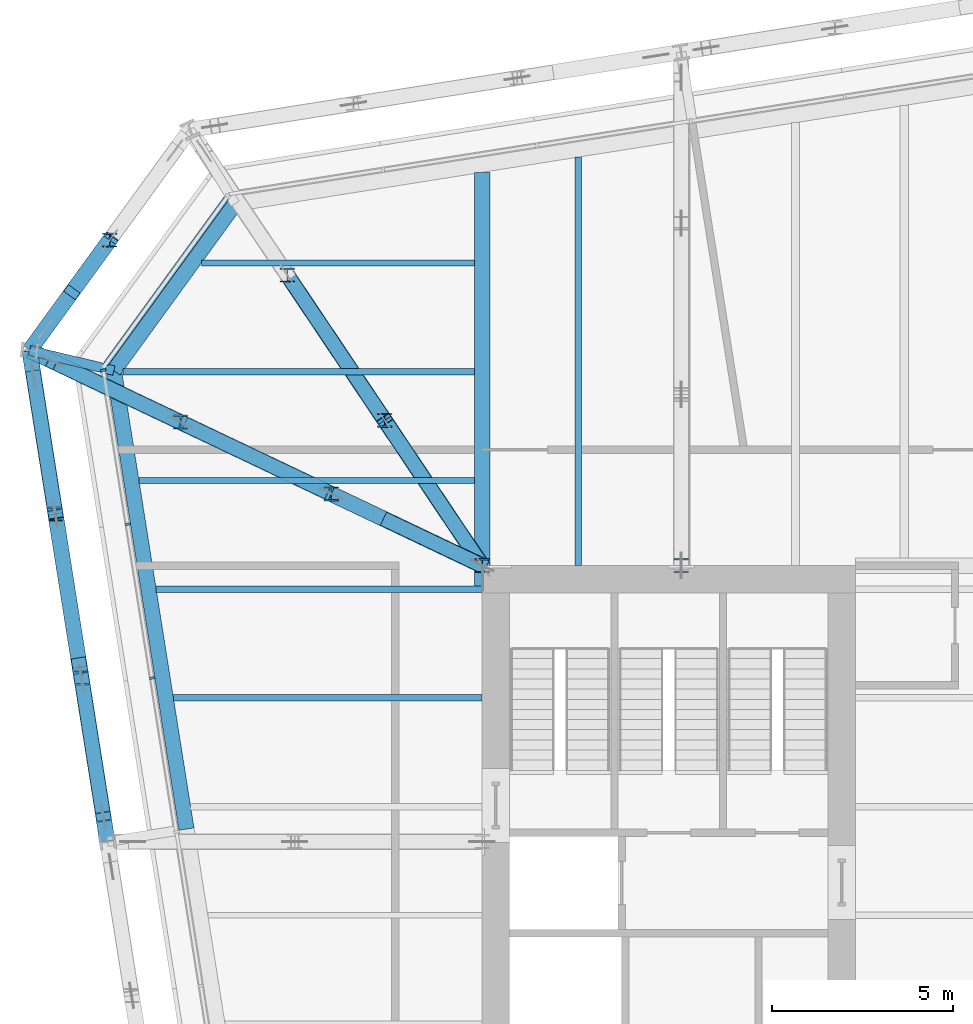
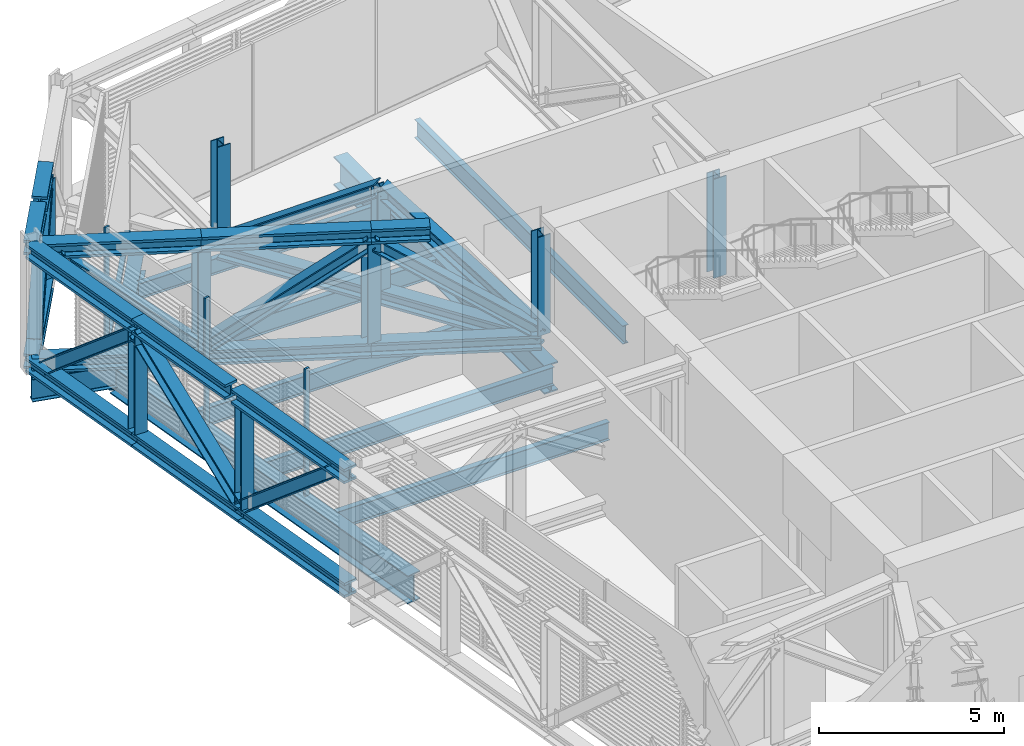
# One storey, part 11 of 31: 27 beams, 22 members, 2 elements without a shape of their own.
"""IFC4 building model written with IfcOpenShell, lengths in metres."""

from ifc_helpers import new_model, si_unit, direction, frame, origin, origin_2d, place, context, subcontext, project, spatial, rectangle, i_section, extrude, material, layer, layer_set, material_profile, profile_set, type_object, element, aggregate, save


model = new_model("IFC4")

# Units and contexts
model_context = context("Model", 3, precision=1e-05, world=origin(), true_north=direction((0.0, 1.0)))
body_context = subcontext(model_context, "Body", "Model", "MODEL_VIEW")
ifc_project = project(units=[si_unit("LENGTHUNIT", "METRE"), si_unit("AREAUNIT", "SQUARE_METRE"), si_unit("VOLUMEUNIT", "CUBIC_METRE"), si_unit("PLANEANGLEUNIT", "RADIAN"), si_unit("MASSUNIT", "GRAM", prefix="KILO")], contexts=[model_context])

# Site, building, storey
site_placement = place(None, origin())
site = spatial("IfcSite", under=ifc_project, at=site_placement, CompositionType="ELEMENT")
building_placement = place(site_placement, origin())
building = spatial("IfcBuilding", under=site, at=building_placement, Name="Millrace Tower", CompositionType="ELEMENT")
storey_placement = place(building_placement, frame((0.0, 0.0, 195.60009765625)))
storey = spatial("IfcBuildingStorey", under=building, at=storey_placement, Name="L44", CompositionType="ELEMENT", Elevation=195.60009765625)

# Beams
ifc_material_1 = material(Name="Steel ASTM A992 Grade 50", Category="steel")
ifc_material_profile_1 = material_profile(ifc_material_1, i_section(OverallWidth=0.4267578125, OverallDepth=0.482666015625, WebThickness=0.05126953125, FlangeThickness=0.08154296875, FilletRadius=0.01513671875, at=origin_2d()))
ifc_profile_set_1 = profile_set([ifc_material_profile_1], Name="Steel ASTM A992 Grade 50")
beam_type_1 = type_object("IfcBeamType", Name="Belt truss chord W14x455", PredefinedType="BEAM", material=ifc_profile_set_1)
beam_1_placement = place(storey_placement, frame((-24.930908203125, 18.63525390625, 0.2412109375), z_axis=(-0.587743410516, -0.809047392552, 0.0), x_axis=(0.809047392552, -0.587743410516, 0.0)))
element("IfcBeam", 1, at=beam_1_placement, inside=storey, type_object=beam_type_1, Name="BLT-L44-R13-B02", PredefinedType="BEAM", context=body_context, shape_type="SweptSolid", body=[
    extrude(i_section(OverallWidth=0.4267578125, OverallDepth=0.482666015625, WebThickness=0.05126953125, FlangeThickness=0.08154296875, FilletRadius=0.01513671875, at=origin_2d()), origin(), (0.0, 0.0, 1.0), 3.762939453125),
])
for number, where, z_axis, x_axis, name in (
    (2, (-27.142578125, 15.5908203125, 0.2412109375), (0.156425557764, -0.987689751328, 0.0), (0.987689751328, 0.156425557764, 0.0), "BLT-L44-R14-B01"),
    (3, (-26.4267578125, 11.071044921875, 0.2412109375), (0.156425557764, -0.987689751328, 0.0), (0.987689751328, 0.156425557764, 0.0), "BLT-L44-R14-B02"),
    (4, (-25.7109375, 6.55126953125, 0.2412109375), (0.156425557764, -0.987689751328, 0.0), (0.987689751328, 0.156425557764, 0.0), "BLT-L44-R14-B03"),
):
    element("IfcBeam", number, at=place(storey_placement, frame(where, z_axis=z_axis, x_axis=x_axis)), inside=storey, type_object=beam_type_1, Name=name, PredefinedType="BEAM", context=body_context, shape_type="SweptSolid", body=[
        extrude(i_section(OverallWidth=0.4267578125, OverallDepth=0.482666015625, WebThickness=0.05126953125, FlangeThickness=0.08154296875, FilletRadius=0.01513671875, at=origin_2d()), origin(), (0.0, 0.0, 1.0), 4.576171875),
    ])
beam_2_placement = place(storey_placement, frame((-24.930908203125, 18.63525390625, 3.99853515625), z_axis=(-0.587683360267, -0.809091013462, 0.0), x_axis=(0.809091013462, -0.587683360267, 0.0)))
element("IfcBeam", 5, at=beam_2_placement, inside=storey, type_object=beam_type_1, Name="BLT-L44-R13-T02-a", PredefinedType="BEAM", context=body_context, shape_type="SweptSolid", body=[
    extrude(i_section(OverallWidth=0.4267578125, OverallDepth=0.482666015625, WebThickness=0.05126953125, FlangeThickness=0.08154296875, FilletRadius=0.01513671875, at=origin_2d()), origin(), (0.0, 0.0, 1.0), 1.6650390625),
])
beam_3_placement = place(storey_placement, frame((-26.0419921875, 17.10595703125, 3.99853515625), z_axis=(-0.587706497783, -0.809074207019, 0.0), x_axis=(0.809074207019, -0.587706497783, 0.0)))
element("IfcBeam", 6, at=beam_3_placement, inside=storey, type_object=beam_type_1, Name="BLT-L44-R13-T02-b", PredefinedType="BEAM", context=body_context, shape_type="SweptSolid", body=[
    extrude(i_section(OverallWidth=0.4267578125, OverallDepth=0.482666015625, WebThickness=0.05126953125, FlangeThickness=0.08154296875, FilletRadius=0.01513671875, at=origin_2d()), origin(), (0.0, 0.0, 1.0), 1.87255859375),
])
beam_4_placement = place(storey_placement, frame((-27.14111328125, 15.5810546875, 3.99853515625), z_axis=(0.156443031162, -0.987686983817, 0.0), x_axis=(0.987686983817, 0.156443031162, 0.0)))
element("IfcBeam", 7, at=beam_4_placement, inside=storey, type_object=beam_type_1, Name="BLT-L44-R14-T01", PredefinedType="BEAM", context=body_context, shape_type="SweptSolid", body=[
    extrude(i_section(OverallWidth=0.4267578125, OverallDepth=0.482666015625, WebThickness=0.05126953125, FlangeThickness=0.08154296875, FilletRadius=0.01513671875, at=origin_2d()), origin(), (0.0, 0.0, 1.0), 4.566162109375),
])
beam_5_placement = place(storey_placement, frame((-26.4267578125, 11.071044921875, 3.99853515625), z_axis=(0.156449457012, -0.987685965983, 0.0), x_axis=(0.987685965983, 0.156449457012, 0.0)))
element("IfcBeam", 8, at=beam_5_placement, inside=storey, type_object=beam_type_1, Name="BLT-L44-R14-T02", PredefinedType="BEAM", context=body_context, shape_type="SweptSolid", body=[
    extrude(i_section(OverallWidth=0.4267578125, OverallDepth=0.482666015625, WebThickness=0.05126953125, FlangeThickness=0.08154296875, FilletRadius=0.01513671875, at=origin_2d()), origin(), (0.0, 0.0, 1.0), 4.016845703125),
])
beam_6_placement = place(storey_placement, frame((-25.758544921875, 6.8515625, 3.99853515625), z_axis=(0.156459394325, -0.987684391862, 0.0), x_axis=(0.987684391862, 0.156459394325, 0.0)))
element("IfcBeam", 9, at=beam_6_placement, inside=storey, type_object=beam_type_1, Name="BLT-L44-R14-T03", PredefinedType="BEAM", context=body_context, shape_type="SweptSolid", body=[
    extrude(i_section(OverallWidth=0.4267578125, OverallDepth=0.482666015625, WebThickness=0.05126953125, FlangeThickness=0.08154296875, FilletRadius=0.01513671875, at=origin_2d()), origin(), (0.0, 0.0, 1.0), 4.8701171875),
])

# Members
ifc_material_2 = material(Name="Steel ASTM A992 Grade 50", Category="steel")
ifc_material_profile_2 = material_profile(ifc_material_2, i_section(OverallWidth=0.398681640625, OverallDepth=0.393798828125, WebThickness=0.022705078125, FlangeThickness=0.03662109375, FilletRadius=0.01513671875, at=origin_2d()))
ifc_profile_set_2 = profile_set([ifc_material_profile_2], Name="Steel ASTM A992 Grade 50")
member_type_1 = type_object("IfcMemberType", Name="Belt truss diagonal W14x193", PredefinedType="BRACE", material=ifc_profile_set_2)
member_1_placement = place(storey_placement, frame((-26.731201171875, 16.1572265625, 0.482421875), z_axis=(0.401488603432, 0.552632129758, 0.730345555524), x_axis=(-0.809032407796, 0.587764036954, 0.0)))
element("IfcMember", 10, at=member_1_placement, inside=storey, type_object=member_type_1, Name="BLT-L44-R13-D02", PredefinedType="BRACE", context=body_context, shape_type="SweptSolid", body=[
    extrude(i_section(OverallWidth=0.398681640625, OverallDepth=0.393798828125, WebThickness=0.022705078125, FlangeThickness=0.03662109375, FilletRadius=0.01513671875, at=origin_2d()), origin(), (0.0, 0.0, 1.0), 4.484130859375),
])
member_2_placement = place(storey_placement, frame((-27.033203125, 14.8994140625, 0.482421875), z_axis=(0.119511586918, -0.754452976838, 0.64538181438), x_axis=(0.987684704581, 0.156457420202, 0.0)))
element("IfcMember", 11, at=member_2_placement, inside=storey, type_object=member_type_1, Name="BLT-L44-R14-D01", PredefinedType="BRACE", context=body_context, shape_type="SweptSolid", body=[
    extrude(i_section(OverallWidth=0.398681640625, OverallDepth=0.393798828125, WebThickness=0.022705078125, FlangeThickness=0.03662109375, FilletRadius=0.01513671875, at=origin_2d()), origin(), (0.0, 0.0, 1.0), 5.074462890625),
])
member_3_placement = place(storey_placement, frame((-25.7109375, 6.55126953125, 0.482421875), z_axis=(-0.127206441439, 0.803196742958, 0.581973808137), x_axis=(-0.987689751328, -0.156425557764, 0.0)))
element("IfcMember", 12, at=member_3_placement, inside=storey, type_object=member_type_1, Name="BLT-L44-R14-D02", PredefinedType="BRACE", context=body_context, shape_type="SweptSolid", body=[
    extrude(i_section(OverallWidth=0.398681640625, OverallDepth=0.393798828125, WebThickness=0.022705078125, FlangeThickness=0.03662109375, FilletRadius=0.01513671875, at=origin_2d()), origin(), (0.0, 0.0, 1.0), 5.627197265625),
])
member_4_placement = place(storey_placement, frame((-25.7109375, 6.55126953125, 0.482421875), z_axis=(0.119511586918, -0.754452976838, 0.64538181438), x_axis=(0.987684704581, 0.156457420202, 0.0)))
element("IfcMember", 13, at=member_4_placement, inside=storey, type_object=member_type_1, Name="BLT-L44-R14-D03", PredefinedType="BRACE", context=body_context, shape_type="SweptSolid", body=[
    extrude(i_section(OverallWidth=0.398681640625, OverallDepth=0.393798828125, WebThickness=0.022705078125, FlangeThickness=0.03662109375, FilletRadius=0.01513671875, at=origin_2d()), origin(), (0.0, 0.0, 1.0), 5.074462890625),
])
ifc_material_3 = material(Name="Steel ASTM A992 Grade 50", Category="steel")
ifc_material_profile_3 = material_profile(ifc_material_3, i_section(OverallWidth=0.396240234375, OverallDepth=0.381103515625, WebThickness=0.018798828125, FlangeThickness=0.0302734375, FilletRadius=0.01513671875, at=origin_2d()))
ifc_profile_set_3 = profile_set([ifc_material_profile_3], Name="Steel ASTM A992 Grade 50")
member_type_2 = type_object("IfcMemberType", Name="Belt truss post W14x159", PredefinedType="POST", material=ifc_profile_set_3)
for number, where, z_axis, x_axis, name in (
    (14, (-24.930908203125, 18.63525390625, 0.482421875), (0.0, 0.0, 1.0), (1.0, 0.0, 0.0), "BLT-L44-R13-V01"),
    (15, (-26.4267578125, 11.071044921875, 0.482421875), (0.0, 0.0, 1.0), (1.0, 0.0, 0.0), "BLT-L44-R14-V01"),
    (16, (-25.7109375, 6.55126953125, 0.482421875), (0.0, 0.0, 1.0), (1.0, 0.0, 0.0), "BLT-L44-R14-V02"),
):
    element("IfcMember", number, at=place(storey_placement, frame(where, z_axis=z_axis, x_axis=x_axis)), inside=storey, type_object=member_type_2, Name=name, PredefinedType="POST", context=body_context, shape_type="SweptSolid", body=[
        extrude(i_section(OverallWidth=0.396240234375, OverallDepth=0.381103515625, WebThickness=0.018798828125, FlangeThickness=0.0302734375, FilletRadius=0.01513671875, at=origin_2d()), origin(), (0.0, 0.0, 1.0), 3.27490234375),
    ])

# Curtain wall, members
ifc_material_4 = material(Name="Aluminium and glass", Category="aluminium")
ifc_layer = layer(ifc_material_4, 0.14990234375)
ifc_layer_set = layer_set([ifc_layer], Name="Aluminium and glass")
curtain_wall_type = type_object("IfcCurtainWallType", Name="CW-5 truss and plant storey louvred infill", PredefinedType="NOTDEFINED", material=ifc_layer_set)
placement = place(storey_placement, origin())
curtain_wall_1 = element("IfcCurtainWall", 17, at=placement, inside=storey, type_object=curtain_wall_type, Name="Curtain wall C-F08 L44", PredefinedType="NOTDEFINED")
ifc_material_5 = material(Name="Aluminium", Category="aluminium")
ifc_material_profile_4 = material_profile(ifc_material_5, rectangle(XDim=0.06494140625, YDim=0.14990234375, at=origin_2d()))
ifc_profile_set_4 = profile_set([ifc_material_profile_4], Name="Aluminium")
member_type_3 = type_object("IfcMemberType", Name="CW-5 truss and plant storey louvred infill mullion", PredefinedType="MULLION", material=ifc_profile_set_4)
member_5_placement = place(storey_placement, frame((-25.106689453125, 15.041748046875, 0.139892578125), z_axis=(0.0, 0.0, 1.0), x_axis=(0.15643447328, -0.98768833929, 0.0)))
member_5 = element("IfcMember", 18, at=member_5_placement, type_object=member_type_3, Name="CW5 mullion C-F08.1", PredefinedType="MULLION", context=body_context, shape_type="SweptSolid", body=[
    extrude(rectangle(XDim=0.06494140625, YDim=0.14990234375, at=origin_2d()), origin(), (0.0, 0.0, 1.0), 4.199951171875),
])
member_6_placement = place(storey_placement, frame((-24.43408203125, 10.794677734375, 0.139892578125), z_axis=(0.0, 0.0, 1.0), x_axis=(0.15643447328, -0.98768833929, 0.0)))
member_6 = element("IfcMember", 19, at=member_6_placement, type_object=member_type_3, Name="CW5 mullion C-F08.2", PredefinedType="MULLION", context=body_context, shape_type="SweptSolid", body=[
    extrude(rectangle(XDim=0.06494140625, YDim=0.14990234375, at=origin_2d()), origin(), (0.0, 0.0, 1.0), 4.199951171875),
])
member_7_placement = place(storey_placement, frame((-23.76123046875, 6.547607421875, 0.139892578125), z_axis=(0.0, 0.0, 1.0), x_axis=(0.15643447328, -0.98768833929, 0.0)))
member_7 = element("IfcMember", 20, at=member_7_placement, type_object=member_type_3, Name="CW5 mullion C-F08.3", PredefinedType="MULLION", context=body_context, shape_type="SweptSolid", body=[
    extrude(rectangle(XDim=0.06494140625, YDim=0.14990234375, at=origin_2d()), origin(), (0.0, 0.0, 1.0), 4.199951171875),
])
aggregate(curtain_wall_1, [member_5, member_6, member_7])

# Curtain wall, member
curtain_wall_2 = element("IfcCurtainWall", 21, at=placement, inside=storey, type_object=curtain_wall_type, Name="Curtain wall C-F07 L44", PredefinedType="NOTDEFINED")
ifc_material_6 = material(Name="Aluminium", Category="aluminium")
ifc_material_profile_5 = material_profile(ifc_material_6, rectangle(XDim=0.14990234375, YDim=0.139892578125, at=origin_2d()))
ifc_profile_set_5 = profile_set([ifc_material_profile_5], Name="Aluminium")
member_type_4 = type_object("IfcMemberType", Name="CW-5 truss and plant storey louvred infill transom", PredefinedType="USERDEFINED", material=ifc_profile_set_5)
member_8_placement = place(storey_placement, frame((-21.70751953125, 19.796875, 0.06982421875), z_axis=(-0.587761915215, -0.80903394924, 0.0), x_axis=(0.80903394924, -0.587761915215, 0.0)))
member_8 = element("IfcMember", 22, at=member_8_placement, type_object=member_type_4, Name="CW5 transom C-F07.1", ObjectType="TRANSOM", PredefinedType="USERDEFINED", context=body_context, shape_type="SweptSolid", body=[
    extrude(rectangle(XDim=0.14990234375, YDim=0.139892578125, at=origin_2d()), origin(), (0.0, 0.0, 1.0), 5.6689453125),
])
aggregate(curtain_wall_2, [member_8])

# Beams
ifc_material_7 = material(Name="Steel ASTM A992 Grade 50", Category="steel")
ifc_material_profile_6 = material_profile(ifc_material_7, i_section(OverallWidth=0.1650390625, OverallDepth=0.52587890625, WebThickness=0.0087890625, FlangeThickness=0.011474609375, FilletRadius=0.0126953125, at=origin_2d()))
ifc_profile_set_6 = profile_set([ifc_material_profile_6], Name="Steel ASTM A992 Grade 50")
beam_type_2 = type_object("IfcBeamType", Name="Floor beam W21x44", PredefinedType="JOIST", material=ifc_profile_set_6)
beam_7_placement = place(storey_placement, frame((-22.39892578125, 18.0, -0.512939453125), z_axis=(1.0, 0.0, 0.0), x_axis=(0.0, 1.0, 0.0)))
element("IfcBeam", 23, at=beam_7_placement, inside=storey, type_object=beam_type_2, Name="BM-C-L44-S1-S035", PredefinedType="JOIST", context=body_context, shape_type="SweptSolid", body=[
    extrude(i_section(OverallWidth=0.1650390625, OverallDepth=0.52587890625, WebThickness=0.0087890625, FlangeThickness=0.011474609375, FilletRadius=0.0126953125, at=origin_2d()), origin(), (0.0, 0.0, 1.0), 7.536865234375),
])
ifc_material_8 = material(Name="Steel ASTM A992 Grade 50", Category="steel")
ifc_material_profile_7 = material_profile(ifc_material_8, i_section(OverallWidth=0.177978515625, OverallDepth=0.599365234375, WebThickness=0.010009765625, FlangeThickness=0.012939453125, FilletRadius=0.012939453125, at=origin_2d()))
ifc_profile_set_7 = profile_set([ifc_material_profile_7], Name="Steel ASTM A992 Grade 50")
beam_type_3 = type_object("IfcBeamType", Name="Floor beam W24x55", PredefinedType="JOIST", material=ifc_profile_set_7)
beam_8_placement = place(storey_placement, frame((-23.171875, 6.0, -0.5498046875), z_axis=(1.0, 0.0, 0.0), x_axis=(0.0, 1.0, 0.0)))
element("IfcBeam", 24, at=beam_8_placement, inside=storey, type_object=beam_type_3, Name="BM-C-L44-S1-S026", PredefinedType="JOIST", context=body_context, shape_type="SweptSolid", body=[
    extrude(i_section(OverallWidth=0.177978515625, OverallDepth=0.599365234375, WebThickness=0.010009765625, FlangeThickness=0.012939453125, FilletRadius=0.012939453125, at=origin_2d()), origin(), (0.0, 0.0, 1.0), 8.52197265625),
])
beam_9_placement = place(storey_placement, frame((-23.64697265625, 9.0, -0.5498046875), z_axis=(1.0, 0.0, 0.0), x_axis=(0.0, 1.0, 0.0)))
element("IfcBeam", 25, at=beam_9_placement, inside=storey, type_object=beam_type_3, Name="BM-C-L44-S1-S029", PredefinedType="JOIST", context=body_context, shape_type="SweptSolid", body=[
    extrude(i_section(OverallWidth=0.177978515625, OverallDepth=0.599365234375, WebThickness=0.010009765625, FlangeThickness=0.012939453125, FilletRadius=0.012939453125, at=origin_2d()), origin(), (0.0, 0.0, 1.0), 8.9970703125),
])
beam_10_placement = place(storey_placement, frame((-24.1220703125, 12.0, -0.5498046875), z_axis=(1.0, 0.0, 0.0), x_axis=(0.0, 1.0, 0.0)))
element("IfcBeam", 26, at=beam_10_placement, inside=storey, type_object=beam_type_3, Name="BM-C-L44-S1-S031", PredefinedType="JOIST", context=body_context, shape_type="SweptSolid", body=[
    extrude(i_section(OverallWidth=0.177978515625, OverallDepth=0.599365234375, WebThickness=0.010009765625, FlangeThickness=0.012939453125, FilletRadius=0.012939453125, at=origin_2d()), origin(), (0.0, 0.0, 1.0), 9.260009765625),
])
beam_11_placement = place(storey_placement, frame((-24.566650390625, 15.0, -0.5498046875), z_axis=(1.0, 0.0, 0.0), x_axis=(0.0, 1.0, 0.0)))
element("IfcBeam", 27, at=beam_11_placement, inside=storey, type_object=beam_type_3, Name="BM-C-L44-S1-S033", PredefinedType="JOIST", context=body_context, shape_type="SweptSolid", body=[
    extrude(i_section(OverallWidth=0.177978515625, OverallDepth=0.599365234375, WebThickness=0.010009765625, FlangeThickness=0.012939453125, FilletRadius=0.012939453125, at=origin_2d()), origin(), (0.0, 0.0, 1.0), 9.70458984375),
])
ifc_material_9 = material(Name="Steel ASTM A992 Grade 50", Category="steel")
ifc_material_profile_8 = material_profile(ifc_material_9, i_section(OverallWidth=0.1787109375, OverallDepth=0.60205078125, WebThickness=0.010986328125, FlangeThickness=0.014892578125, FilletRadius=0.0126953125, at=origin_2d()))
ifc_profile_set_8 = profile_set([ifc_material_profile_8], Name="Steel ASTM A992 Grade 50")
beam_type_4 = type_object("IfcBeamType", Name="Floor beam W24x62", PredefinedType="JOIST", material=ifc_profile_set_8)
beam_12_placement = place(storey_placement, frame((-12.0, 9.64990234375, -0.551025390625), z_axis=(0.0, 1.0, 0.0), x_axis=(-1.0, 0.0, 0.0)))
element("IfcBeam", 28, at=beam_12_placement, inside=storey, type_object=beam_type_4, Name="BM-C-L44-S1-S039", PredefinedType="JOIST", context=body_context, shape_type="SweptSolid", body=[
    extrude(i_section(OverallWidth=0.1787109375, OverallDepth=0.60205078125, WebThickness=0.010986328125, FlangeThickness=0.014892578125, FilletRadius=0.0126953125, at=origin_2d()), origin(), (0.0, 0.0, 1.0), 11.275390625),
])
ifc_material_10 = material(Name="Steel ASTM A992 Grade 50", Category="steel")
ifc_material_profile_9 = material_profile(ifc_material_10, i_section(OverallWidth=0.424072265625, OverallDepth=0.947509765625, WebThickness=0.02392578125, FlangeThickness=0.042724609375, FilletRadius=0.024169921875, at=origin_2d()))
ifc_profile_set_9 = profile_set([ifc_material_profile_9], Name="Steel ASTM A992 Grade 50")
beam_type_5 = type_object("IfcBeamType", Name="Girder short span W36x302", PredefinedType="BEAM", material=ifc_profile_set_9)
beam_13_placement = place(storey_placement, frame((-14.64990234375, 9.090087890625, -0.723876953125), z_axis=(0.0, 1.0, 0.0), x_axis=(-1.0, 0.0, 0.0)))
element("IfcBeam", 29, at=beam_13_placement, inside=storey, type_object=beam_type_5, Name="BM-C-L44-S1-G057", PredefinedType="BEAM", context=body_context, shape_type="SweptSolid", body=[
    extrude(i_section(OverallWidth=0.424072265625, OverallDepth=0.947509765625, WebThickness=0.02392578125, FlangeThickness=0.042724609375, FilletRadius=0.024169921875, at=origin_2d()), origin(), (0.0, 0.0, 1.0), 11.407470703125),
])
ifc_material_11 = material(Name="Steel ASTM A992 Grade 50", Category="steel")
ifc_material_profile_10 = material_profile(ifc_material_11, i_section(OverallWidth=0.2666015625, OverallDepth=0.7568359375, WebThickness=0.013916015625, FlangeThickness=0.019287109375, FilletRadius=0.0166015625, at=origin_2d()))
ifc_profile_set_10 = profile_set([ifc_material_profile_10], Name="Steel ASTM A992 Grade 50")
beam_type_6 = type_object("IfcBeamType", Name="Link beam W30x108", PredefinedType="BEAM", material=ifc_profile_set_10)
beam_14_placement = place(storey_placement, frame((-24.81591796875, 15.0322265625, -0.628662109375), z_axis=(-0.972368775638, 0.233450132073, 0.0), x_axis=(-0.233450132073, -0.972368775638, 0.0)))
element("IfcBeam", 30, at=beam_14_placement, inside=storey, type_object=beam_type_6, Name="LNK-C-L44-S1-04", PredefinedType="BEAM", context=body_context, shape_type="SweptSolid", body=[
    extrude(i_section(OverallWidth=0.2666015625, OverallDepth=0.7568359375, WebThickness=0.013916015625, FlangeThickness=0.019287109375, FilletRadius=0.0166015625, at=origin_2d()), origin(), (0.0, 0.0, 1.0), 2.392822265625),
])
ifc_material_12 = material(Name="Steel ASTM A992 Grade 50", Category="steel")
ifc_material_profile_11 = material_profile(ifc_material_12, i_section(OverallWidth=0.4267578125, OverallDepth=0.482666015625, WebThickness=0.05126953125, FlangeThickness=0.08154296875, FilletRadius=0.01513671875, at=origin_2d()))
ifc_profile_set_11 = profile_set([ifc_material_profile_11], Name="Steel ASTM A992 Grade 50")
beam_type_7 = type_object("IfcBeamType", Name="Outrigger truss chord W14x455", PredefinedType="BEAM", material=ifc_profile_set_11)
beam_15_placement = place(storey_placement, frame((-14.64990234375, 9.64990234375, 0.2412109375), z_axis=(-0.557043298913, 0.830483451452, 0.0), x_axis=(-0.830483451452, -0.557043298913, 0.0)))
element("IfcBeam", 31, at=beam_15_placement, inside=storey, type_object=beam_type_7, Name="BLT-L44-O13-B01", PredefinedType="BEAM", context=body_context, shape_type="SweptSolid", body=[
    extrude(i_section(OverallWidth=0.4267578125, OverallDepth=0.482666015625, WebThickness=0.05126953125, FlangeThickness=0.08154296875, FilletRadius=0.01513671875, at=origin_2d()), origin(), (0.0, 0.0, 1.0), 4.82861328125),
])
beam_16_placement = place(storey_placement, frame((-17.339599609375, 13.659912109375, 0.2412109375), z_axis=(-0.5570666905, 0.830467761166, 0.0), x_axis=(-0.830467761166, -0.5570666905, 0.0)))
element("IfcBeam", 32, at=beam_16_placement, inside=storey, type_object=beam_type_7, Name="BLT-L44-O13-B02", PredefinedType="BEAM", context=body_context, shape_type="SweptSolid", body=[
    extrude(i_section(OverallWidth=0.4267578125, OverallDepth=0.482666015625, WebThickness=0.05126953125, FlangeThickness=0.08154296875, FilletRadius=0.01513671875, at=origin_2d()), origin(), (0.0, 0.0, 1.0), 4.828369140625),
])
beam_17_placement = place(storey_placement, frame((-14.64990234375, 9.64990234375, 0.2412109375), z_axis=(-0.903073751352, 0.429485505714, 0.0), x_axis=(-0.429485505714, -0.903073751352, 0.0)))
element("IfcBeam", 33, at=beam_17_placement, inside=storey, type_object=beam_type_7, Name="BLT-L44-O14-B01", PredefinedType="BEAM", context=body_context, shape_type="SweptSolid", body=[
    extrude(i_section(OverallWidth=0.4267578125, OverallDepth=0.482666015625, WebThickness=0.05126953125, FlangeThickness=0.08154296875, FilletRadius=0.01513671875, at=origin_2d()), origin(), (0.0, 0.0, 1.0), 4.611328125),
])
for number, where, z_axis, x_axis, name in (
    (34, (-18.814208984375, 11.63037109375, 0.2412109375), (-0.903094285673, 0.429442325796, 0.0), (-0.429442325796, -0.903094285673, 0.0), "BLT-L44-O14-B02"),
    (35, (-18.814208984375, 11.63037109375, 3.99853515625), (-0.903094285673, 0.429442325796, 0.0), (-0.429442325796, -0.903094285673, 0.0), "BLT-L44-O14-T02"),
):
    element("IfcBeam", number, at=place(storey_placement, frame(where, z_axis=z_axis, x_axis=x_axis)), inside=storey, type_object=beam_type_7, Name=name, PredefinedType="BEAM", context=body_context, shape_type="SweptSolid", body=[
        extrude(i_section(OverallWidth=0.4267578125, OverallDepth=0.482666015625, WebThickness=0.05126953125, FlangeThickness=0.08154296875, FilletRadius=0.01513671875, at=origin_2d()), origin(), (0.0, 0.0, 1.0), 4.611083984375),
    ])
for number, where, z_axis, x_axis, name in (
    (36, (-22.978515625, 13.610595703125, 0.2412109375), (-0.903084520695, 0.429462860422, 0.0), (-0.429462860422, -0.903084520695, 0.0), "BLT-L44-O14-B03"),
    (37, (-22.978515625, 13.610595703125, 3.99853515625), (-0.903084520695, 0.429462860422, 0.0), (-0.429462860422, -0.903084520695, 0.0), "BLT-L44-O14-T03"),
):
    element("IfcBeam", number, at=place(storey_placement, frame(where, z_axis=z_axis, x_axis=x_axis)), inside=storey, type_object=beam_type_7, Name=name, PredefinedType="BEAM", context=body_context, shape_type="SweptSolid", body=[
        extrude(i_section(OverallWidth=0.4267578125, OverallDepth=0.482666015625, WebThickness=0.05126953125, FlangeThickness=0.08154296875, FilletRadius=0.01513671875, at=origin_2d()), origin(), (0.0, 0.0, 1.0), 4.61083984375),
    ])
beam_18_placement = place(storey_placement, frame((-17.37353515625, 10.9453125, 3.99853515625), z_axis=(-0.903098005462, 0.42943450319, 0.0), x_axis=(-0.42943450319, -0.903098005462, 0.0)))
element("IfcBeam", 38, at=beam_18_placement, inside=storey, type_object=beam_type_7, Name="BLT-L44-O14-T01", PredefinedType="BEAM", context=body_context, shape_type="SweptSolid", body=[
    extrude(i_section(OverallWidth=0.4267578125, OverallDepth=0.482666015625, WebThickness=0.05126953125, FlangeThickness=0.08154296875, FilletRadius=0.01513671875, at=origin_2d()), origin(), (0.0, 0.0, 1.0), 1.59521484375),
])

# Members
ifc_material_13 = material(Name="Steel ASTM A992 Grade 50", Category="steel")
ifc_material_profile_12 = material_profile(ifc_material_13, i_section(OverallWidth=0.398681640625, OverallDepth=0.393798828125, WebThickness=0.022705078125, FlangeThickness=0.03662109375, FilletRadius=0.01513671875, at=origin_2d()))
ifc_profile_set_12 = profile_set([ifc_material_profile_12], Name="Steel ASTM A992 Grade 50")
member_type_5 = type_object("IfcMemberType", Name="Outrigger truss diagonal W14x193", PredefinedType="BRACE", material=ifc_profile_set_12)
for number, where, z_axis, x_axis, name in (
    (39, (-14.64990234375, 9.64990234375, 0.482421875), (-0.46101064517, 0.68731050621, 0.561314041419), (-0.830483451452, -0.557043298913, 0.0), "BLT-L44-O13-D01"),
    (40, (-20.029296875, 17.669677734375, 0.482421875), (0.461023904362, -0.687288427452, 0.56133018545), (0.830467761166, 0.5570666905, 0.0), "BLT-L44-O13-D02"),
):
    element("IfcMember", number, at=place(storey_placement, frame(where, z_axis=z_axis, x_axis=x_axis)), inside=storey, type_object=member_type_5, Name=name, PredefinedType="BRACE", context=body_context, shape_type="SweptSolid", body=[
        extrude(i_section(OverallWidth=0.398681640625, OverallDepth=0.393798828125, WebThickness=0.022705078125, FlangeThickness=0.03662109375, FilletRadius=0.01513671875, at=origin_2d()), origin(), (0.0, 0.0, 1.0), 5.834228515625),
    ])
for number, where, z_axis, x_axis, name in (
    (41, (-14.64990234375, 9.64990234375, 0.482421875), (-0.736282473817, 0.35016259762, 0.579028733293), (-0.429485505714, -0.903073751352, 0.0), "BLT-L44-O14-D01"),
    (42, (-22.978515625, 13.610595703125, 0.482421875), (0.73629360238, -0.35012472351, 0.57903748504), (0.429442325796, 0.903094285673, 0.0), "BLT-L44-O14-D02"),
):
    element("IfcMember", number, at=place(storey_placement, frame(where, z_axis=z_axis, x_axis=x_axis)), inside=storey, type_object=member_type_5, Name=name, PredefinedType="BRACE", context=body_context, shape_type="SweptSolid", body=[
        extrude(i_section(OverallWidth=0.398681640625, OverallDepth=0.393798828125, WebThickness=0.022705078125, FlangeThickness=0.03662109375, FilletRadius=0.01513671875, at=origin_2d()), origin(), (0.0, 0.0, 1.0), 5.65576171875),
    ])
member_9_placement = place(storey_placement, frame((-22.978515625, 13.610595703125, 0.482421875), z_axis=(-0.692396045264, 0.329279380066, 0.641999070378), x_axis=(-0.429473137343, -0.903079633422, 0.0)))
element("IfcMember", 43, at=member_9_placement, inside=storey, type_object=member_type_5, Name="BLT-L44-O14-D03", PredefinedType="BRACE", context=body_context, shape_type="SweptSolid", body=[
    extrude(i_section(OverallWidth=0.398681640625, OverallDepth=0.393798828125, WebThickness=0.022705078125, FlangeThickness=0.03662109375, FilletRadius=0.01513671875, at=origin_2d()), origin(), (0.0, 0.0, 1.0), 5.10107421875),
])
ifc_material_14 = material(Name="Steel ASTM A992 Grade 50", Category="steel")
ifc_material_profile_13 = material_profile(ifc_material_14, i_section(OverallWidth=0.396240234375, OverallDepth=0.381103515625, WebThickness=0.018798828125, FlangeThickness=0.0302734375, FilletRadius=0.01513671875, at=origin_2d()))
ifc_profile_set_13 = profile_set([ifc_material_profile_13], Name="Steel ASTM A992 Grade 50")
member_type_6 = type_object("IfcMemberType", Name="Outrigger truss post W14x159", PredefinedType="POST", material=ifc_profile_set_13)
for number, where, z_axis, x_axis, name in (
    (44, (-9.15966796875, 9.64990234375, 0.482421875), (0.0, 0.0, 1.0), (1.0, 0.0, 0.0), "BLT-L44-O12-V00"),
    (45, (-14.64990234375, 9.64990234375, 0.482421875), (0.0, 0.0, 1.0), (1.0, 0.0, 0.0), "BLT-L44-O13-V00"),
    (46, (-17.339599609375, 13.659912109375, 0.482421875), (0.0, 0.0, 1.0), (1.0, 0.0, 0.0), "BLT-L44-O13-V01"),
    (47, (-20.029296875, 17.669677734375, 0.482421875), (0.0, 0.0, 1.0), (1.0, 0.0, 0.0), "BLT-L44-O13-V02"),
    (48, (-18.814208984375, 11.63037109375, 0.482421875), (0.0, 0.0, 1.0), (1.0, 0.0, 0.0), "BLT-L44-O14-V01"),
    (49, (-22.978515625, 13.610595703125, 0.482421875), (0.0, 0.0, 1.0), (1.0, 0.0, 0.0), "BLT-L44-O14-V02"),
):
    element("IfcMember", number, at=place(storey_placement, frame(where, z_axis=z_axis, x_axis=x_axis)), inside=storey, type_object=member_type_6, Name=name, PredefinedType="POST", context=body_context, shape_type="SweptSolid", body=[
        extrude(i_section(OverallWidth=0.396240234375, OverallDepth=0.381103515625, WebThickness=0.018798828125, FlangeThickness=0.0302734375, FilletRadius=0.01513671875, at=origin_2d()), origin(), (0.0, 0.0, 1.0), 3.27490234375),
    ])

# Beams
ifc_material_15 = material(Name="Steel ASTM A992 Grade 50", Category="steel")
ifc_material_profile_14 = material_profile(ifc_material_15, i_section(OverallWidth=0.421630859375, OverallDepth=0.937255859375, WebThickness=0.021240234375, FlangeThickness=0.03662109375, FilletRadius=0.024169921875, at=origin_2d()))
ifc_profile_set_14 = profile_set([ifc_material_profile_14], Name="Steel ASTM A992 Grade 50")
beam_type_8 = type_object("IfcBeamType", Name="Ring beam medium span W36x262", PredefinedType="SPANDREL", material=ifc_profile_set_14)
beam_19_placement = place(storey_placement, frame((-22.8115234375, 2.37744140625, -0.71875), z_axis=(-0.156440058697, 0.987687454631, 0.0), x_axis=(-0.987687454631, -0.156440058697, 0.0)))
element("IfcBeam", 50, at=beam_19_placement, inside=storey, type_object=beam_type_8, Name="RNG-C-L44-S1-03", PredefinedType="SPANDREL", context=body_context, shape_type="SweptSolid", body=[
    extrude(i_section(OverallWidth=0.421630859375, OverallDepth=0.937255859375, WebThickness=0.021240234375, FlangeThickness=0.03662109375, FilletRadius=0.024169921875, at=origin_2d()), origin(), (0.0, 0.0, 1.0), 12.8125),
])
ifc_material_16 = material(Name="Steel ASTM A992 Grade 50", Category="steel")
ifc_material_profile_15 = material_profile(ifc_material_16, i_section(OverallWidth=0.421630859375, OverallDepth=0.937255859375, WebThickness=0.021240234375, FlangeThickness=0.03662109375, FilletRadius=0.024169921875, at=origin_2d()))
ifc_profile_set_15 = profile_set([ifc_material_profile_15], Name="Steel ASTM A992 Grade 50")
beam_type_9 = type_object("IfcBeamType", Name="Ring beam short span W36x262", PredefinedType="SPANDREL", material=ifc_profile_set_15)
beam_20_placement = place(storey_placement, frame((-24.81591796875, 15.0322265625, -0.71875), z_axis=(0.587789250847, 0.80901408924, 0.0), x_axis=(-0.80901408924, 0.587789250847, 0.0)))
element("IfcBeam", 51, at=beam_20_placement, inside=storey, type_object=beam_type_9, Name="RNG-C-L44-S1-04", PredefinedType="SPANDREL", context=body_context, shape_type="SweptSolid", body=[
    extrude(i_section(OverallWidth=0.421630859375, OverallDepth=0.937255859375, WebThickness=0.021240234375, FlangeThickness=0.03662109375, FilletRadius=0.024169921875, at=origin_2d()), origin(), (0.0, 0.0, 1.0), 5.694580078125),
])

save(model, "model.ifc")
